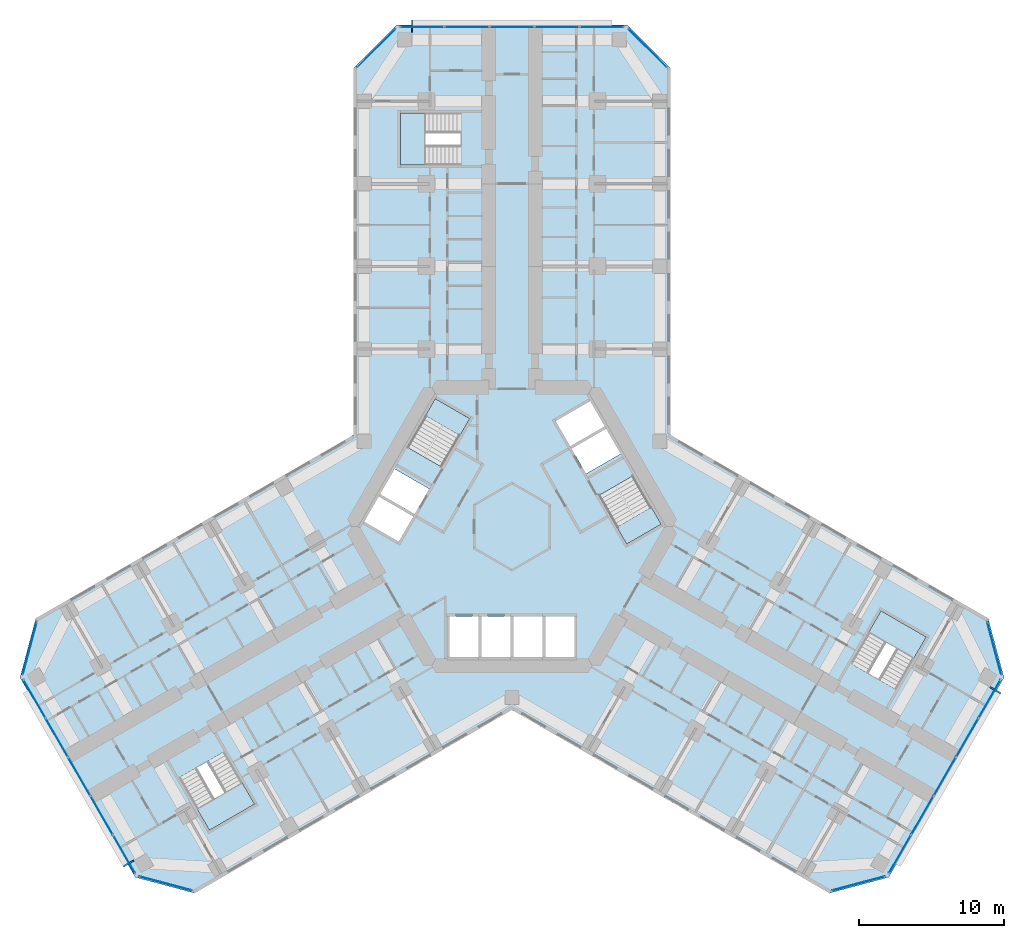
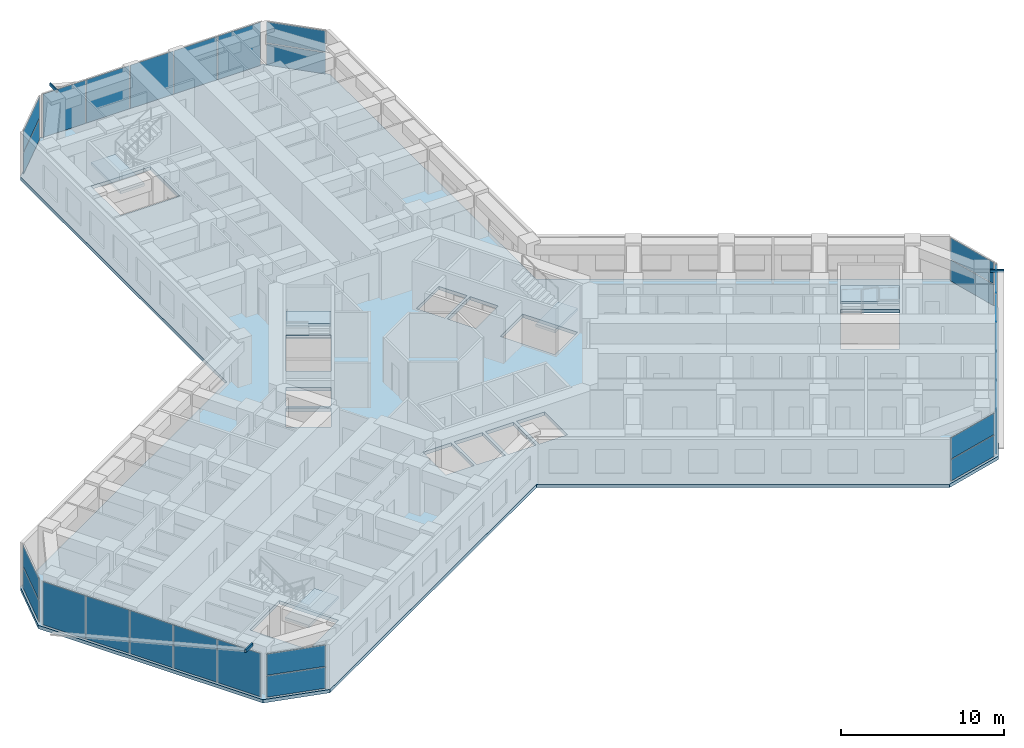
# One storey, part 9 of 21: 27 plates, 6 slabs, 3 members, 14 elements without a shape of their own.
"""IFC4 building model written with IfcOpenShell, lengths in metres."""

from ifc_helpers import new_model, si_unit, direction, frame, origin, origin_2d, place, context, subcontext, project, spatial, polyline, rectangle, hollow_rectangle, outline, extrude, material, layer, layer_set, material_profile, profile_set, type_object, element, aggregate, save


model = new_model("IFC4")

# Units and contexts
model_context = context("Model", 3, precision=1e-05, world=origin(), true_north=direction((0.0, 1.0)))
body_context = subcontext(model_context, "Body", "Model", "MODEL_VIEW")
ifc_project = project(units=[si_unit("LENGTHUNIT", "METRE"), si_unit("AREAUNIT", "SQUARE_METRE"), si_unit("VOLUMEUNIT", "CUBIC_METRE"), si_unit("PLANEANGLEUNIT", "RADIAN"), si_unit("MASSUNIT", "GRAM", prefix="KILO")], contexts=[model_context])

# Site, building, storey
site_placement = place(None, origin())
site = spatial("IfcSite", under=ifc_project, at=site_placement, CompositionType="ELEMENT")
building_placement = place(site_placement, origin())
building = spatial("IfcBuilding", under=site, at=building_placement, Name="Kosmar Iwan School Tower", CompositionType="ELEMENT")
storey_placement = place(building_placement, frame((0.0, 0.0, 46.60009765625)))
storey = spatial("IfcBuildingStorey", under=building, at=storey_placement, Name="L10", CompositionType="ELEMENT", Elevation=46.60009765625)

# Members
ifc_material_1 = material(Name="Steel S355", Category="steel")
ifc_material_profile = material_profile(ifc_material_1, hollow_rectangle(XDim=0.10009765625, YDim=0.199951171875, WallThickness=0.008056640625, at=origin_2d()), Name="RHS 200x100x8")
ifc_profile_set = profile_set([ifc_material_profile], Name="Steel S355")
member_type = type_object("IfcMemberType", Name="Fin bracket RHS 200x100", PredefinedType="USERDEFINED", material=ifc_profile_set)
member_1_placement = place(storey_placement, frame((32.9814453125, -11.074462890625, 3.474853515625), z_axis=(0.865989465428, -0.500062241894, 0.0), x_axis=(0.500062241894, 0.865989465428, 0.0)))
element("IfcMember", 1, at=member_1_placement, inside=storey, type_object=member_type, Name="Fin bracket L11", ObjectType="FIN BRACKET", PredefinedType="USERDEFINED", context=body_context, shape_type="SweptSolid", body=[
    extrude(hollow_rectangle(XDim=0.10009765625, YDim=0.199951171875, WallThickness=0.008056640625, at=origin_2d()), origin(), (0.0, 0.0, 1.0), 0.85009765625),
])
member_2_placement = place(storey_placement, frame((-6.89990234375, 34.10009765625, 3.474853515625), z_axis=(0.0, 1.0, 0.0), x_axis=(-1.0, 0.0, 0.0)))
element("IfcMember", 2, at=member_2_placement, inside=storey, type_object=member_type, Name="Fin bracket L11", ObjectType="FIN BRACKET", PredefinedType="USERDEFINED", context=body_context, shape_type="SweptSolid", body=[
    extrude(hollow_rectangle(XDim=0.10009765625, YDim=0.199951171875, WallThickness=0.008056640625, at=origin_2d()), origin(), (0.0, 0.0, 1.0), 0.849853515625),
])
member_3_placement = place(storey_placement, frame((-26.08154296875, -23.025634765625, 3.474853515625), z_axis=(-0.865989465428, -0.500062241894, 0.0), x_axis=(0.500062241894, -0.865989465428, 0.0)))
element("IfcMember", 3, at=member_3_placement, inside=storey, type_object=member_type, Name="Fin bracket L11", ObjectType="FIN BRACKET", PredefinedType="USERDEFINED", context=body_context, shape_type="SweptSolid", body=[
    extrude(hollow_rectangle(XDim=0.10009765625, YDim=0.199951171875, WallThickness=0.008056640625, at=origin_2d()), origin(), (0.0, 0.0, 1.0), 0.85009765625),
])

# Curtain wall, plates
ifc_material_2 = material(Name="Dark glass in black aluminium frame", Category="aluminium")
curtain_wall_type_1 = type_object("IfcCurtainWallType", Name="Chamfer curtain wall dark glass", PredefinedType="USERDEFINED", material=ifc_material_2)
curtain_wall_1_placement = place(storey_placement, origin())
curtain_wall_1 = element("IfcCurtainWall", 4, at=curtain_wall_1_placement, inside=storey, type_object=curtain_wall_type_1, Name="Curtain wall L10-F02", ObjectType="FACETED CURTAIN WALL", PredefinedType="USERDEFINED")
ifc_material_3 = material(Name="Dark glass", Category="glass")
ifc_layer_1 = layer(ifc_material_3, 0.028076171875)
ifc_layer_set_1 = layer_set([ifc_layer_1], Name="Dark glass panel 28")
plate_type = type_object("IfcPlateType", Name="Dark glass panel 28", PredefinedType="CURTAIN_PANEL", material=ifc_layer_set_1)
plate_1_placement = place(storey_placement, frame((23.908203125, -24.61328125, 0.059814453125), z_axis=(0.0, 0.0, 1.0), x_axis=(0.965925875495, 0.258818861462, 0.0)))
plate_1 = element("IfcPlate", 5, at=plate_1_placement, type_object=plate_type, Name="CW2 panel 1.1", PredefinedType="CURTAIN_PANEL", context=body_context, shape_type="SweptSolid", body=[
    extrude(rectangle(XDim=3.718994140625, YDim=0.028076171875, at=origin_2d()), origin(), (0.0, 0.0, 1.0), 1.5849609375),
])
plate_2_placement = place(storey_placement, frame((23.908203125, -24.61328125, 1.704833984375), z_axis=(0.0, 0.0, 1.0), x_axis=(0.965925875495, 0.258818861462, 0.0)))
plate_2 = element("IfcPlate", 6, at=plate_2_placement, type_object=plate_type, Name="CW2 panel 1.2", PredefinedType="CURTAIN_PANEL", context=body_context, shape_type="SweptSolid", body=[
    extrude(rectangle(XDim=3.718994140625, YDim=0.028076171875, at=origin_2d()), origin(), (0.0, 0.0, 1.0), 1.5849609375),
])
aggregate(curtain_wall_1, [plate_1, plate_2])

ifc_material_4 = material(Name="Dark glass in black aluminium frame", Category="aluminium")
curtain_wall_type_2 = type_object("IfcCurtainWallType", Name="Tower curtain wall dark glass", PredefinedType="USERDEFINED", material=ifc_material_4)
curtain_wall_2_placement = place(storey_placement, origin())
curtain_wall_2 = element("IfcCurtainWall", 7, at=curtain_wall_2_placement, inside=storey, type_object=curtain_wall_type_2, Name="Curtain wall L10-F03", ObjectType="UNITISED CURTAIN WALL", PredefinedType="USERDEFINED")
plate_3_placement = place(storey_placement, frame((26.764404296875, -22.592529296875, 0.059814453125), z_axis=(0.0, 0.0, 1.0), x_axis=(0.499999997325, 0.866025405329, 0.0)))
plate_3 = element("IfcPlate", 8, at=plate_3_placement, type_object=plate_type, Name="CW1 panel 1.1", PredefinedType="CURTAIN_PANEL", context=body_context, shape_type="SweptSolid", body=[
    extrude(rectangle(XDim=3.00927734375, YDim=0.028076171875, at=origin_2d()), origin(), (0.0, 0.0, 1.0), 3.22998046875),
])
plate_4_placement = place(storey_placement, frame((28.306640625, -19.921630859375, 0.059814453125), z_axis=(0.0, 0.0, 1.0), x_axis=(0.499999997325, 0.866025405329, 0.0)))
plate_4 = element("IfcPlate", 9, at=plate_4_placement, type_object=plate_type, Name="CW1 panel 2.1", PredefinedType="CURTAIN_PANEL", context=body_context, shape_type="SweptSolid", body=[
    extrude(rectangle(XDim=3.039306640625, YDim=0.028076171875, at=origin_2d()), origin(), (0.0, 0.0, 1.0), 3.22998046875),
])
plate_5_placement = place(storey_placement, frame((29.856201171875, -17.237548828125, 0.059814453125), z_axis=(0.0, 0.0, 1.0), x_axis=(0.499999997325, 0.866025405329, 0.0)))
plate_5 = element("IfcPlate", 10, at=plate_5_placement, type_object=plate_type, Name="CW1 panel 3.1", PredefinedType="CURTAIN_PANEL", context=body_context, shape_type="SweptSolid", body=[
    extrude(rectangle(XDim=3.039306640625, YDim=0.028076171875, at=origin_2d()), origin(), (0.0, 0.0, 1.0), 3.22998046875),
])
plate_6_placement = place(storey_placement, frame((31.40576171875, -14.553466796875, 0.059814453125), z_axis=(0.0, 0.0, 1.0), x_axis=(0.499999997325, 0.866025405329, 0.0)))
plate_6 = element("IfcPlate", 11, at=plate_6_placement, type_object=plate_type, Name="CW1 panel 4.1", PredefinedType="CURTAIN_PANEL", context=body_context, shape_type="SweptSolid", body=[
    extrude(rectangle(XDim=3.039306640625, YDim=0.028076171875, at=origin_2d()), origin(), (0.0, 0.0, 1.0), 3.22998046875),
])
plate_7_placement = place(storey_placement, frame((32.947998046875, -11.88232421875, 0.059814453125), z_axis=(0.0, 0.0, 1.0), x_axis=(0.499999997325, 0.866025405329, 0.0)))
plate_7 = element("IfcPlate", 12, at=plate_7_placement, type_object=plate_type, Name="CW1 panel 5.1", PredefinedType="CURTAIN_PANEL", context=body_context, shape_type="SweptSolid", body=[
    extrude(rectangle(XDim=3.00927734375, YDim=0.028076171875, at=origin_2d()), origin(), (0.0, 0.0, 1.0), 3.22998046875),
])
aggregate(curtain_wall_2, [plate_3, plate_4, plate_5, plate_6, plate_7])

curtain_wall_3_placement = place(storey_placement, origin())
curtain_wall_3 = element("IfcCurtainWall", 13, at=curtain_wall_3_placement, inside=storey, type_object=curtain_wall_type_1, Name="Curtain wall L10-F04", ObjectType="FACETED CURTAIN WALL", PredefinedType="USERDEFINED")
plate_8_placement = place(storey_placement, frame((33.269775390625, -8.3984375, 0.059814453125), z_axis=(0.0, 0.0, 1.0), x_axis=(-0.258818861462, 0.965925875495, 0.0)))
plate_8 = element("IfcPlate", 14, at=plate_8_placement, type_object=plate_type, Name="CW2 panel 1.1", PredefinedType="CURTAIN_PANEL", context=body_context, shape_type="SweptSolid", body=[
    extrude(rectangle(XDim=3.718994140625, YDim=0.028076171875, at=origin_2d()), origin(), (0.0, 0.0, 1.0), 1.5849609375),
])
plate_9_placement = place(storey_placement, frame((33.269775390625, -8.3984375, 1.704833984375), z_axis=(0.0, 0.0, 1.0), x_axis=(-0.258818861462, 0.965925875495, 0.0)))
plate_9 = element("IfcPlate", 15, at=plate_9_placement, type_object=plate_type, Name="CW2 panel 1.2", PredefinedType="CURTAIN_PANEL", context=body_context, shape_type="SweptSolid", body=[
    extrude(rectangle(XDim=3.718994140625, YDim=0.028076171875, at=origin_2d()), origin(), (0.0, 0.0, 1.0), 1.5849609375),
])
aggregate(curtain_wall_3, [plate_8, plate_9])

curtain_wall_4_placement = place(storey_placement, origin())
curtain_wall_4 = element("IfcCurtainWall", 16, at=curtain_wall_4_placement, inside=storey, type_object=curtain_wall_type_1, Name="Curtain wall L10-F07", ObjectType="FACETED CURTAIN WALL", PredefinedType="USERDEFINED")
plate_10_placement = place(storey_placement, frame((9.361572265625, 33.01171875, 0.059814453125), z_axis=(0.0, 0.0, 1.0), x_axis=(-0.707106781187, 0.707106781187, 0.0)))
plate_10 = element("IfcPlate", 17, at=plate_10_placement, type_object=plate_type, Name="CW2 panel 1.1", PredefinedType="CURTAIN_PANEL", context=body_context, shape_type="SweptSolid", body=[
    extrude(rectangle(XDim=3.718994140625, YDim=0.028076171875, at=origin_2d()), origin(), (0.0, 0.0, 1.0), 1.5849609375),
])
plate_11_placement = place(storey_placement, frame((9.361572265625, 33.01171875, 1.704833984375), z_axis=(0.0, 0.0, 1.0), x_axis=(-0.707106781187, 0.707106781187, 0.0)))
plate_11 = element("IfcPlate", 18, at=plate_11_placement, type_object=plate_type, Name="CW2 panel 1.2", PredefinedType="CURTAIN_PANEL", context=body_context, shape_type="SweptSolid", body=[
    extrude(rectangle(XDim=3.718994140625, YDim=0.028076171875, at=origin_2d()), origin(), (0.0, 0.0, 1.0), 1.5849609375),
])
aggregate(curtain_wall_4, [plate_10, plate_11])

curtain_wall_5_placement = place(storey_placement, origin())
curtain_wall_5 = element("IfcCurtainWall", 19, at=curtain_wall_5_placement, inside=storey, type_object=curtain_wall_type_2, Name="Curtain wall L10-F08", ObjectType="UNITISED CURTAIN WALL", PredefinedType="USERDEFINED")
plate_12_placement = place(storey_placement, frame((6.18359375, 34.47509765625, 0.059814453125), z_axis=(0.0, 0.0, 1.0), x_axis=(-1.0, 0.0, 0.0)))
plate_12 = element("IfcPlate", 20, at=plate_12_placement, type_object=plate_type, Name="CW1 panel 1.1", PredefinedType="CURTAIN_PANEL", context=body_context, shape_type="SweptSolid", body=[
    extrude(rectangle(XDim=3.00927734375, YDim=0.028076171875, at=origin_2d()), origin(), (0.0, 0.0, 1.0), 3.22998046875),
])
plate_13_placement = place(storey_placement, frame((3.099365234375, 34.47509765625, 0.059814453125), z_axis=(0.0, 0.0, 1.0), x_axis=(-1.0, 0.0, 0.0)))
plate_13 = element("IfcPlate", 21, at=plate_13_placement, type_object=plate_type, Name="CW1 panel 2.1", PredefinedType="CURTAIN_PANEL", context=body_context, shape_type="SweptSolid", body=[
    extrude(rectangle(XDim=3.039306640625, YDim=0.028076171875, at=origin_2d()), origin(), (0.0, 0.0, 1.0), 3.22998046875),
])
plate_14_placement = place(storey_placement, frame((0.0, 34.47509765625, 0.059814453125), z_axis=(0.0, 0.0, 1.0), x_axis=(-1.0, 0.0, 0.0)))
plate_14 = element("IfcPlate", 22, at=plate_14_placement, type_object=plate_type, Name="CW1 panel 3.1", PredefinedType="CURTAIN_PANEL", context=body_context, shape_type="SweptSolid", body=[
    extrude(rectangle(XDim=3.039306640625, YDim=0.028076171875, at=origin_2d()), origin(), (0.0, 0.0, 1.0), 3.22998046875),
])
plate_15_placement = place(storey_placement, frame((-3.099365234375, 34.47509765625, 0.059814453125), z_axis=(0.0, 0.0, 1.0), x_axis=(-1.0, 0.0, 0.0)))
plate_15 = element("IfcPlate", 23, at=plate_15_placement, type_object=plate_type, Name="CW1 panel 4.1", PredefinedType="CURTAIN_PANEL", context=body_context, shape_type="SweptSolid", body=[
    extrude(rectangle(XDim=3.039306640625, YDim=0.028076171875, at=origin_2d()), origin(), (0.0, 0.0, 1.0), 3.22998046875),
])
plate_16_placement = place(storey_placement, frame((-6.18359375, 34.47509765625, 0.059814453125), z_axis=(0.0, 0.0, 1.0), x_axis=(-1.0, 0.0, 0.0)))
plate_16 = element("IfcPlate", 24, at=plate_16_placement, type_object=plate_type, Name="CW1 panel 5.1", PredefinedType="CURTAIN_PANEL", context=body_context, shape_type="SweptSolid", body=[
    extrude(rectangle(XDim=3.00927734375, YDim=0.028076171875, at=origin_2d()), origin(), (0.0, 0.0, 1.0), 3.22998046875),
])
aggregate(curtain_wall_5, [plate_12, plate_13, plate_14, plate_15, plate_16])

curtain_wall_6_placement = place(storey_placement, origin())
curtain_wall_6 = element("IfcCurtainWall", 25, at=curtain_wall_6_placement, inside=storey, type_object=curtain_wall_type_1, Name="Curtain wall L10-F09", ObjectType="FACETED CURTAIN WALL", PredefinedType="USERDEFINED")
plate_17_placement = place(storey_placement, frame((-9.361572265625, 33.01171875, 0.059814453125), z_axis=(0.0, 0.0, 1.0), x_axis=(-0.707106781187, -0.707106781187, 0.0)))
plate_17 = element("IfcPlate", 26, at=plate_17_placement, type_object=plate_type, Name="CW2 panel 1.1", PredefinedType="CURTAIN_PANEL", context=body_context, shape_type="SweptSolid", body=[
    extrude(rectangle(XDim=3.718994140625, YDim=0.028076171875, at=origin_2d()), origin(), (0.0, 0.0, 1.0), 1.5849609375),
])
plate_18_placement = place(storey_placement, frame((-9.361572265625, 33.01171875, 1.704833984375), z_axis=(0.0, 0.0, 1.0), x_axis=(-0.707106781187, -0.707106781187, 0.0)))
plate_18 = element("IfcPlate", 27, at=plate_18_placement, type_object=plate_type, Name="CW2 panel 1.2", PredefinedType="CURTAIN_PANEL", context=body_context, shape_type="SweptSolid", body=[
    extrude(rectangle(XDim=3.718994140625, YDim=0.028076171875, at=origin_2d()), origin(), (0.0, 0.0, 1.0), 1.5849609375),
])
aggregate(curtain_wall_6, [plate_17, plate_18])

curtain_wall_7_placement = place(storey_placement, origin())
curtain_wall_7 = element("IfcCurtainWall", 28, at=curtain_wall_7_placement, inside=storey, type_object=curtain_wall_type_1, Name="Curtain wall L10-F12", ObjectType="FACETED CURTAIN WALL", PredefinedType="USERDEFINED")
plate_19_placement = place(storey_placement, frame((-33.269775390625, -8.3984375, 0.059814453125), z_axis=(0.0, 0.0, 1.0), x_axis=(-0.258818861462, -0.965925875495, 0.0)))
plate_19 = element("IfcPlate", 29, at=plate_19_placement, type_object=plate_type, Name="CW2 panel 1.1", PredefinedType="CURTAIN_PANEL", context=body_context, shape_type="SweptSolid", body=[
    extrude(rectangle(XDim=3.718994140625, YDim=0.028076171875, at=origin_2d()), origin(), (0.0, 0.0, 1.0), 1.5849609375),
])
plate_20_placement = place(storey_placement, frame((-33.269775390625, -8.3984375, 1.704833984375), z_axis=(0.0, 0.0, 1.0), x_axis=(-0.258818861462, -0.965925875495, 0.0)))
plate_20 = element("IfcPlate", 30, at=plate_20_placement, type_object=plate_type, Name="CW2 panel 1.2", PredefinedType="CURTAIN_PANEL", context=body_context, shape_type="SweptSolid", body=[
    extrude(rectangle(XDim=3.718994140625, YDim=0.028076171875, at=origin_2d()), origin(), (0.0, 0.0, 1.0), 1.5849609375),
])
aggregate(curtain_wall_7, [plate_19, plate_20])

curtain_wall_8_placement = place(storey_placement, origin())
curtain_wall_8 = element("IfcCurtainWall", 31, at=curtain_wall_8_placement, inside=storey, type_object=curtain_wall_type_2, Name="Curtain wall L10-F13", ObjectType="UNITISED CURTAIN WALL", PredefinedType="USERDEFINED")
plate_21_placement = place(storey_placement, frame((-32.947998046875, -11.88232421875, 0.059814453125), z_axis=(0.0, 0.0, 1.0), x_axis=(0.499999997325, -0.866025405329, 0.0)))
plate_21 = element("IfcPlate", 32, at=plate_21_placement, type_object=plate_type, Name="CW1 panel 1.1", PredefinedType="CURTAIN_PANEL", context=body_context, shape_type="SweptSolid", body=[
    extrude(rectangle(XDim=3.00927734375, YDim=0.028076171875, at=origin_2d()), origin(), (0.0, 0.0, 1.0), 3.22998046875),
])
plate_22_placement = place(storey_placement, frame((-31.40576171875, -14.553466796875, 0.059814453125), z_axis=(0.0, 0.0, 1.0), x_axis=(0.499999997325, -0.866025405329, 0.0)))
plate_22 = element("IfcPlate", 33, at=plate_22_placement, type_object=plate_type, Name="CW1 panel 2.1", PredefinedType="CURTAIN_PANEL", context=body_context, shape_type="SweptSolid", body=[
    extrude(rectangle(XDim=3.039306640625, YDim=0.028076171875, at=origin_2d()), origin(), (0.0, 0.0, 1.0), 3.22998046875),
])
plate_23_placement = place(storey_placement, frame((-29.856201171875, -17.237548828125, 0.059814453125), z_axis=(0.0, 0.0, 1.0), x_axis=(0.499999997325, -0.866025405329, 0.0)))
plate_23 = element("IfcPlate", 34, at=plate_23_placement, type_object=plate_type, Name="CW1 panel 3.1", PredefinedType="CURTAIN_PANEL", context=body_context, shape_type="SweptSolid", body=[
    extrude(rectangle(XDim=3.039306640625, YDim=0.028076171875, at=origin_2d()), origin(), (0.0, 0.0, 1.0), 3.22998046875),
])
plate_24_placement = place(storey_placement, frame((-28.306640625, -19.921630859375, 0.059814453125), z_axis=(0.0, 0.0, 1.0), x_axis=(0.499999997325, -0.866025405329, 0.0)))
plate_24 = element("IfcPlate", 35, at=plate_24_placement, type_object=plate_type, Name="CW1 panel 4.1", PredefinedType="CURTAIN_PANEL", context=body_context, shape_type="SweptSolid", body=[
    extrude(rectangle(XDim=3.039306640625, YDim=0.028076171875, at=origin_2d()), origin(), (0.0, 0.0, 1.0), 3.22998046875),
])
plate_25_placement = place(storey_placement, frame((-26.764404296875, -22.592529296875, 0.059814453125), z_axis=(0.0, 0.0, 1.0), x_axis=(0.499999997325, -0.866025405329, 0.0)))
plate_25 = element("IfcPlate", 36, at=plate_25_placement, type_object=plate_type, Name="CW1 panel 5.1", PredefinedType="CURTAIN_PANEL", context=body_context, shape_type="SweptSolid", body=[
    extrude(rectangle(XDim=3.00927734375, YDim=0.028076171875, at=origin_2d()), origin(), (0.0, 0.0, 1.0), 3.22998046875),
])
aggregate(curtain_wall_8, [plate_21, plate_22, plate_23, plate_24, plate_25])

curtain_wall_9_placement = place(storey_placement, origin())
curtain_wall_9 = element("IfcCurtainWall", 37, at=curtain_wall_9_placement, inside=storey, type_object=curtain_wall_type_1, Name="Curtain wall L10-F14", ObjectType="FACETED CURTAIN WALL", PredefinedType="USERDEFINED")
plate_26_placement = place(storey_placement, frame((-23.908203125, -24.61328125, 0.059814453125), z_axis=(0.0, 0.0, 1.0), x_axis=(0.965925875495, -0.258818861462, 0.0)))
plate_26 = element("IfcPlate", 38, at=plate_26_placement, type_object=plate_type, Name="CW2 panel 1.1", PredefinedType="CURTAIN_PANEL", context=body_context, shape_type="SweptSolid", body=[
    extrude(rectangle(XDim=3.718994140625, YDim=0.028076171875, at=origin_2d()), origin(), (0.0, 0.0, 1.0), 1.5849609375),
])
plate_27_placement = place(storey_placement, frame((-23.908203125, -24.61328125, 1.704833984375), z_axis=(0.0, 0.0, 1.0), x_axis=(0.965925875495, -0.258818861462, 0.0)))
plate_27 = element("IfcPlate", 39, at=plate_27_placement, type_object=plate_type, Name="CW2 panel 1.2", PredefinedType="CURTAIN_PANEL", context=body_context, shape_type="SweptSolid", body=[
    extrude(rectangle(XDim=3.718994140625, YDim=0.028076171875, at=origin_2d()), origin(), (0.0, 0.0, 1.0), 1.5849609375),
])
aggregate(curtain_wall_9, [plate_26, plate_27])

# Stair, slab
ifc_material_5 = material(Name="Concrete C35/45", Category="concrete")
stair_type_1 = type_object("IfcStairType", Name="Escape stair 3600", PredefinedType="HALF_TURN_STAIR", material=ifc_material_5)
stair_1_placement = place(storey_placement, origin())
stair_1 = element("IfcStair", 40, at=stair_1_placement, inside=storey, type_object=stair_type_1, Name="Stair WS1 L10", PredefinedType="HALF_TURN_STAIR")
ifc_material_6 = material(Name="Concrete C35/45", Category="concrete")
ifc_layer_2 = layer(ifc_material_6, 0.199951171875)
ifc_layer_set_2 = layer_set([ifc_layer_2], Name="Escape stair landing 200")
slab_type_1 = type_object("IfcSlabType", Name="Escape stair landing 200", PredefinedType="LANDING", material=ifc_layer_set_2)
slab_1_placement = place(storey_placement, frame((0.0, 0.0, 1.599853515625)))
slab_1 = element("IfcSlab", 41, at=slab_1_placement, type_object=slab_type_1, Name="WS1 landing 1", PredefinedType="LANDING", context=body_context, shape_type="SweptSolid", body=[
    extrude(outline(polyline([(-6.0, 24.949951171875), (-6.0, 28.550048828125), (-7.699951171875, 28.550048828125), (-7.699951171875, 24.949951171875), (-6.0, 24.949951171875)])), origin(), (0.0, 0.0, 1.0), 0.199951171875),
])
aggregate(stair_1, [slab_1])

stair_2_placement = place(storey_placement, origin())
stair_2 = element("IfcStair", 42, at=stair_2_placement, inside=storey, type_object=stair_type_1, Name="Stair WS2 L10", PredefinedType="HALF_TURN_STAIR")
slab_2_placement = place(storey_placement, frame((0.0, 0.0, 1.599853515625)))
slab_2 = element("IfcSlab", 43, at=slab_2_placement, type_object=slab_type_1, Name="WS2 landing 1", PredefinedType="LANDING", context=body_context, shape_type="SweptSolid", body=[
    extrude(outline(polyline([(-18.607421875, -17.671142578125), (-21.72509765625, -19.47119140625), (-20.875, -20.943359375), (-17.75732421875, -19.143310546875), (-18.607421875, -17.671142578125)])), origin(), (0.0, 0.0, 1.0), 0.199951171875),
])
aggregate(stair_2, [slab_2])

stair_3_placement = place(storey_placement, origin())
stair_3 = element("IfcStair", 44, at=stair_3_placement, inside=storey, type_object=stair_type_1, Name="Stair WS3 L10", PredefinedType="HALF_TURN_STAIR")
slab_3_placement = place(storey_placement, frame((0.0, 0.0, 1.599853515625)))
slab_3 = element("IfcSlab", 45, at=slab_3_placement, type_object=slab_type_1, Name="WS3 landing 1", PredefinedType="LANDING", context=body_context, shape_type="SweptSolid", body=[
    extrude(outline(polyline([(24.607421875, -7.27880859375), (27.72509765625, -9.078857421875), (28.574951171875, -7.606689453125), (25.457275390625, -5.806640625), (24.607421875, -7.27880859375)])), origin(), (0.0, 0.0, 1.0), 0.199951171875),
])
aggregate(stair_3, [slab_3])

# Slab
ifc_material_7 = material(Name="Concrete C35/45", Category="concrete")
ifc_layer_3 = layer(ifc_material_7, 0.25)
ifc_layer_set_3 = layer_set([ifc_layer_3], Name="Floor slab 250")
slab_type_2 = type_object("IfcSlabType", Name="Floor slab 250", PredefinedType="FLOOR", material=ifc_layer_set_3)
slab_4_placement = place(storey_placement, frame((0.0, 0.0, -0.25)))
element("IfcSlab", 46, at=slab_4_placement, inside=storey, type_object=slab_type_2, Name="L10 floor slab", PredefinedType="FLOOR", context=body_context, shape_type="SweptSolid", body=[
    extrude(outline(polyline([(-21.891357421875, -25.282958984375), (0.0, -12.64404296875), (21.891357421875, -25.282958984375), (25.989501953125, -24.184814453125), (33.939453125, -10.4150390625), (32.84130859375, -6.317138671875), (10.949951171875, 6.322021484375), (10.949951171875, 31.60009765625), (7.949951171875, 34.60009765625), (-7.949951171875, 34.60009765625), (-10.949951171875, 31.60009765625), (-10.949951171875, 6.322021484375), (-32.84130859375, -6.317138671875), (-33.939453125, -10.4150390625), (-25.989501953125, -24.184814453125), (-21.891357421875, -25.282958984375)]), holes=[polyline([(7.91259765625, -1.205078125), (10.294189453125, 0.169921875), (8.3642578125, 3.5126953125), (5.982666015625, 2.1376953125), (7.91259765625, -1.205078125)]), polyline([(-2.91259765625, 7.455078125), (-5.294189453125, 8.830078125), (-7.22412109375, 5.4873046875), (-4.8427734375, 4.1123046875), (-2.91259765625, 7.455078125)]), polyline([(-5.712646484375, 2.60546875), (-8.09423828125, 3.98046875), (-9.09423828125, 2.248291015625), (-6.712646484375, 0.873291015625), (-5.712646484375, 2.60546875)]), polyline([(-6.812744140625, 0.7001953125), (-9.1943359375, 2.0751953125), (-10.1943359375, 0.343017578125), (-7.812744140625, -1.031982421875), (-6.812744140625, 0.7001953125)]), polyline([(5.112548828125, 3.64453125), (7.494140625, 5.01953125), (6.494140625, 6.751708984375), (4.112548828125, 5.376708984375), (5.112548828125, 3.64453125)]), polyline([(4.0126953125, 5.5498046875), (6.394287109375, 6.9248046875), (5.394287109375, 8.656982421875), (3.0126953125, 7.281982421875), (4.0126953125, 5.5498046875)]), polyline([(-4.300048828125, -6.199951171875), (-4.300048828125, -9.0), (-2.300048828125, -9.0), (-2.300048828125, -6.199951171875), (-4.300048828125, -6.199951171875)]), polyline([(-2.10009765625, -6.199951171875), (-2.10009765625, -9.0), (-0.10009765625, -9.0), (-0.10009765625, -6.199951171875), (-2.10009765625, -6.199951171875)]), polyline([(0.10009765625, -6.199951171875), (0.10009765625, -9.0), (2.10009765625, -9.0), (2.10009765625, -6.199951171875), (0.10009765625, -6.199951171875)]), polyline([(2.300048828125, -6.199951171875), (2.300048828125, -9.0), (4.300048828125, -9.0), (4.300048828125, -6.199951171875), (2.300048828125, -6.199951171875)]), polyline([(-3.52001953125, 24.949951171875), (-3.52001953125, 28.550048828125), (-7.699951171875, 28.550048828125), (-7.699951171875, 24.949951171875), (-3.52001953125, 24.949951171875)]), polyline([(-19.847412109375, -15.5234375), (-22.965087890625, -17.323486328125), (-20.875, -20.943359375), (-17.75732421875, -19.143310546875), (-19.847412109375, -15.5234375)]), polyline([(23.367431640625, -9.426513671875), (26.485107421875, -11.2265625), (28.574951171875, -7.606689453125), (25.457275390625, -5.806640625), (23.367431640625, -9.426513671875)])]), origin(), (0.0, 0.0, 1.0), 0.25),
])

# Stair, slab
ifc_material_8 = material(Name="Concrete C35/45", Category="concrete")
stair_type_2 = type_object("IfcStairType", Name="Core stair 2750", PredefinedType="HALF_TURN_STAIR", material=ifc_material_8)
stair_4_placement = place(storey_placement, origin())
stair_4 = element("IfcStair", 47, at=stair_4_placement, inside=storey, type_object=stair_type_2, Name="Stair ST2 L10", PredefinedType="HALF_TURN_STAIR")
ifc_material_9 = material(Name="Concrete C35/45", Category="concrete")
ifc_layer_4 = layer(ifc_material_9, 0.199951171875)
ifc_layer_set_4 = layer_set([ifc_layer_4], Name="Stair landing 200")
slab_type_3 = type_object("IfcSlabType", Name="Stair landing 200", PredefinedType="LANDING", material=ifc_layer_set_4)
slab_5_placement = place(storey_placement, frame((0.0, 0.0, 1.599853515625)))
slab_5 = element("IfcSlab", 48, at=slab_5_placement, type_object=slab_type_3, Name="ST2 landing 1", PredefinedType="LANDING", context=body_context, shape_type="SweptSolid", body=[
    extrude(outline(polyline([(-2.91259765625, 7.455078125), (-5.294189453125, 8.830078125), (-5.97412109375, 7.65234375), (-3.5927734375, 6.27734375), (-2.91259765625, 7.455078125)])), origin(), (0.0, 0.0, 1.0), 0.199951171875),
])
aggregate(stair_4, [slab_5])

stair_5_placement = place(storey_placement, origin())
stair_5 = element("IfcStair", 49, at=stair_5_placement, inside=storey, type_object=stair_type_2, Name="Stair ST1 L10", PredefinedType="HALF_TURN_STAIR")
slab_6_placement = place(storey_placement, frame((0.0, 0.0, 1.599853515625)))
slab_6 = element("IfcSlab", 50, at=slab_6_placement, type_object=slab_type_3, Name="ST1 landing 1", PredefinedType="LANDING", context=body_context, shape_type="SweptSolid", body=[
    extrude(outline(polyline([(7.91259765625, -1.205078125), (10.294189453125, 0.169921875), (9.6142578125, 1.34765625), (7.232666015625, -0.02734375), (7.91259765625, -1.205078125)])), origin(), (0.0, 0.0, 1.0), 0.199951171875),
])
aggregate(stair_5, [slab_6])

save(model, "model.ifc")
